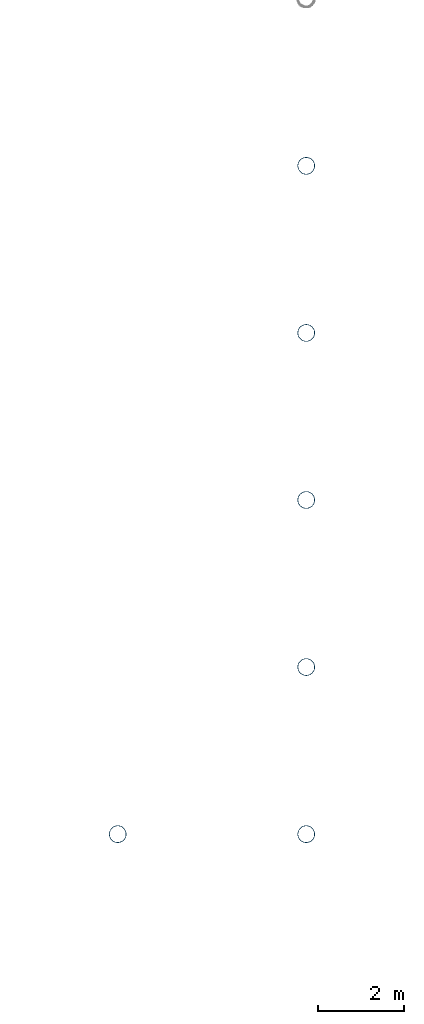
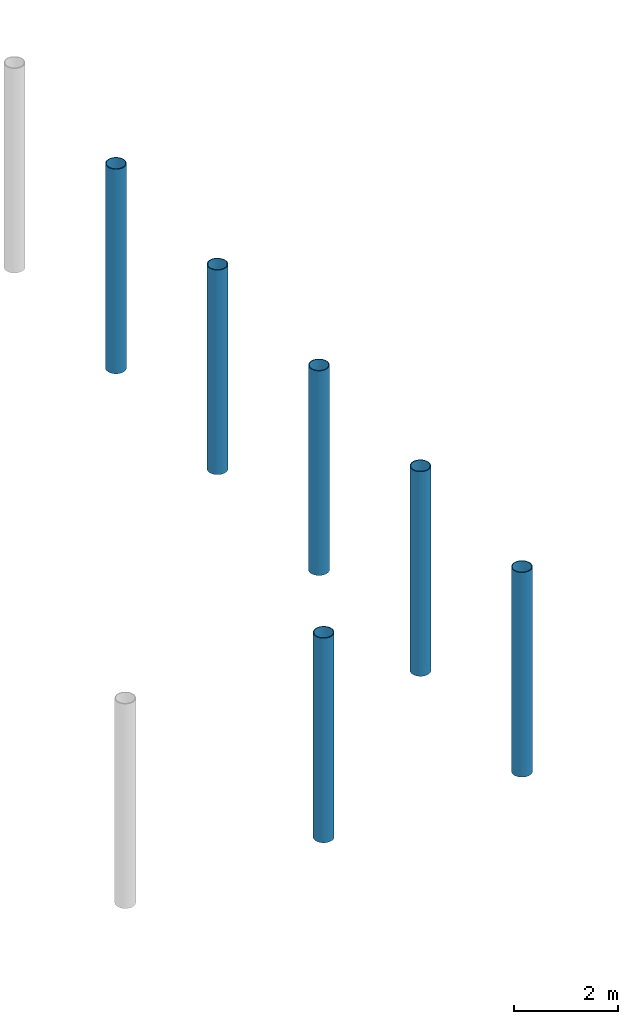
# One storey, part 8 of 138: 6 columns.
"""IFC4 building model written with IfcOpenShell, lengths in metres."""

from ifc_helpers import new_model, si_unit, direction, frame, origin, origin_2d, place, context, subcontext, project, spatial, hollow_circle, extrude, material, material_profile, profile_set, type_object, element, save


model = new_model("IFC4")

# Units and contexts
model_context = context("Model", 3, precision=1e-05, world=origin(), true_north=direction((0.0, 1.0)))
body_context = subcontext(model_context, "Body", "Model", "MODEL_VIEW")
ifc_project = project(units=[si_unit("LENGTHUNIT", "METRE"), si_unit("AREAUNIT", "SQUARE_METRE"), si_unit("VOLUMEUNIT", "CUBIC_METRE"), si_unit("PLANEANGLEUNIT", "RADIAN"), si_unit("MASSUNIT", "GRAM", prefix="KILO")], contexts=[model_context])

# Site, building, storey
site_placement = place(None, origin())
site = spatial("IfcSite", under=ifc_project, at=site_placement, CompositionType="ELEMENT")
building_placement = place(site_placement, origin())
building = spatial("IfcBuilding", under=site, at=building_placement, Name="Celorna Specialist Clinic", CompositionType="ELEMENT")
storey_placement = place(building_placement, frame((0.0, 0.0, 4.800048828125)))
storey = spatial("IfcBuildingStorey", under=building, at=storey_placement, Name="L01", CompositionType="ELEMENT", Elevation=4.800048828125)

# Columns
ifc_material = material(Name="Steel S355", Category="steel")
ifc_material_profile = material_profile(ifc_material, hollow_circle(Radius=0.203125, WallThickness=0.01611328125, at=origin_2d()), Name="CHS 406.4x16")
ifc_profile_set = profile_set([ifc_material_profile], Name="Steel S355")
column_type = type_object("IfcColumnType", Name="CT-12", PredefinedType="COLUMN", material=ifc_profile_set)
for number, where, z_axis, x_axis, name in (
    (1, (98.60009765625, 46.800048828125, 0.0), (0.0, 0.0, 1.0), (1.0, 0.0, 0.0), "Column CT-12 L01 X14/YJ"),
    (2, (103.0, 46.800048828125, 0.0), (0.0, 0.0, 1.0), (1.0, 0.0, 0.0), "Column CT-12 L01 X14A/YJ"),
    (3, (103.0, 50.699951171875, 0.0), (0.0, 0.0, 1.0), (1.0, 0.0, 0.0), "Column CT-12 L01 X14A/YK"),
    (4, (103.0, 54.60009765625, 0.0), (0.0, 0.0, 1.0), (1.0, 0.0, 0.0), "Column CT-12 L01 X14A/YK"),
    (5, (103.0, 58.5, 0.0), (0.0, 0.0, 1.0), (1.0, 0.0, 0.0), "Column CT-12 L01 X14A/YL"),
    (6, (103.0, 62.39990234375, 0.0), (0.0, 0.0, 1.0), (1.0, 0.0, 0.0), "Column CT-12 L01 X14A/YM"),
):
    element("IfcColumn", number, at=place(storey_placement, frame(where, z_axis=z_axis, x_axis=x_axis)), inside=storey, type_object=column_type, Name=name, PredefinedType="COLUMN", context=body_context, shape_type="SweptSolid", body=[
        extrude(hollow_circle(Radius=0.203125, WallThickness=0.01611328125, at=origin_2d()), origin(), (0.0, 0.0, 1.0), 4.800048828125),
    ])

save(model, "model.ifc")
